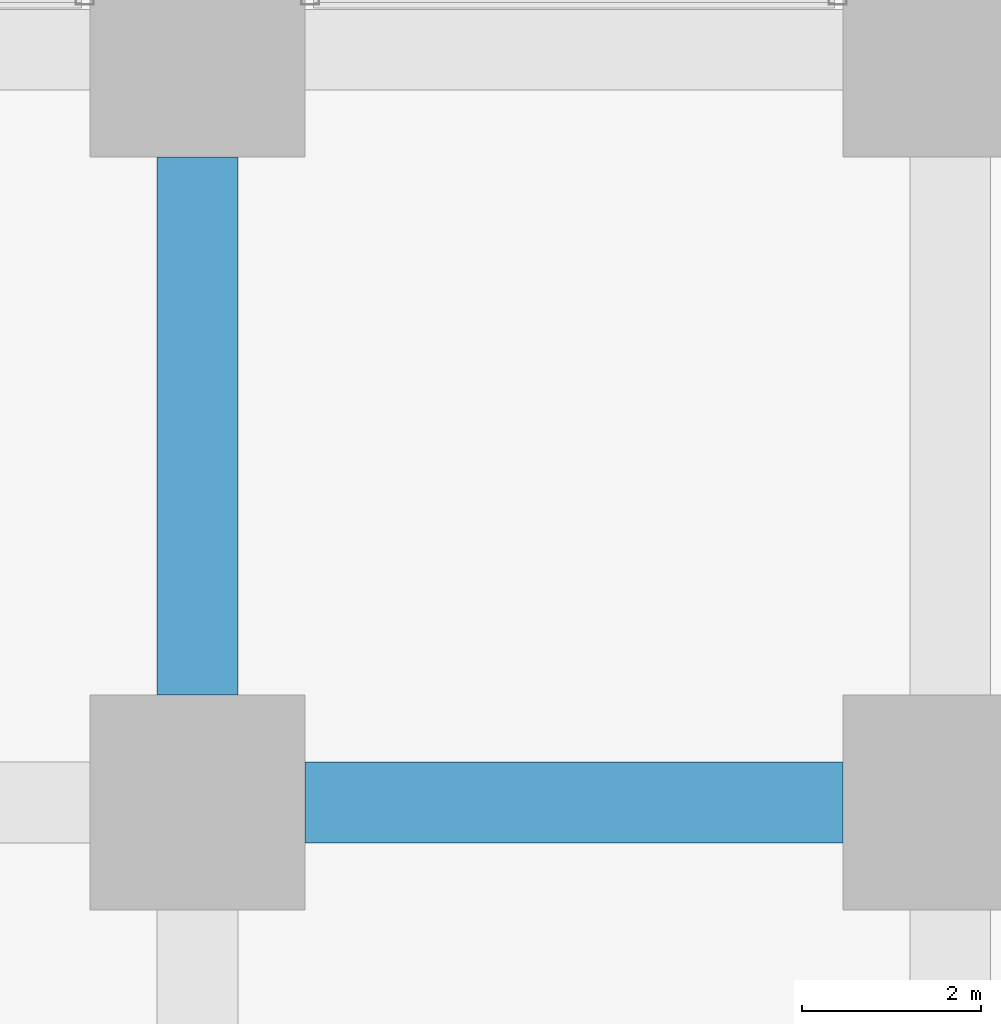
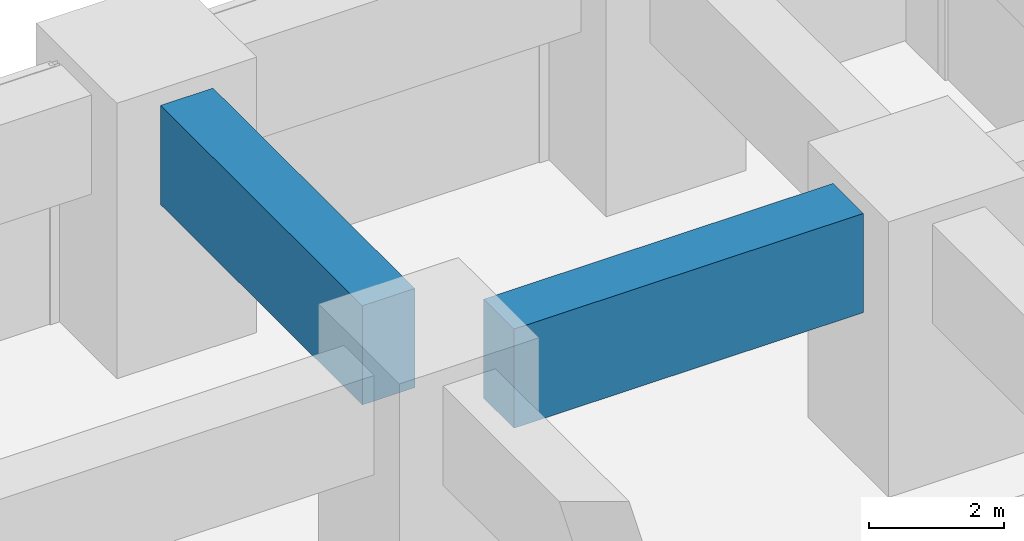
# One storey, part 22 of 49: 2 beams.
"""IFC4 building model written with IfcOpenShell, lengths in metres."""

from ifc_helpers import new_model, si_unit, direction, frame, origin, origin_2d, place, context, subcontext, project, spatial, rectangle, extrude, material, material_profile, profile_set, type_object, element, save


model = new_model("IFC4")

# Units and contexts
model_context = context("Model", 3, precision=1e-05, world=origin(), true_north=direction((0.0, 1.0)))
body_context = subcontext(model_context, "Body", "Model", "MODEL_VIEW")
ifc_project = project(units=[si_unit("LENGTHUNIT", "METRE"), si_unit("AREAUNIT", "SQUARE_METRE"), si_unit("VOLUMEUNIT", "CUBIC_METRE"), si_unit("PLANEANGLEUNIT", "RADIAN"), si_unit("MASSUNIT", "GRAM", prefix="KILO")], contexts=[model_context])

# Site, building, storey
site_placement = place(None, origin())
site = spatial("IfcSite", under=ifc_project, at=site_placement, CompositionType="ELEMENT")
building_placement = place(site_placement, origin())
building = spatial("IfcBuilding", under=site, at=building_placement, Name="Rekha Terrace Tower", CompositionType="ELEMENT")
storey_placement = place(building_placement, frame((0.0, 0.0, 5.39990234375)))
storey = spatial("IfcBuildingStorey", under=building, at=storey_placement, Name="L01", CompositionType="ELEMENT", Elevation=5.39990234375)

# Beams
ifc_material = material(Name="Concrete M60", Category="concrete")
ifc_material_profile = material_profile(ifc_material, rectangle(XDim=0.89990234375, YDim=1.800048828125, at=origin_2d()), Name="RC 900x1800")
ifc_profile_set = profile_set([ifc_material_profile], Name="Concrete M60")
beam_type = type_object("IfcBeamType", Name="G1 900x1800 podium floor beam", PredefinedType="BEAM", material=ifc_profile_set)
for number, where, z_axis, x_axis, name in (
    (1, (9.60009765625, 50.39990234375, 3.800048828125), (1.0, 0.0, 0.0), (0.0, 1.0, 0.0), "Beam G1 2G-3G under L02"),
    (2, (8.39990234375, 51.60009765625, 3.800048828125), (0.0, 1.0, 0.0), (-1.0, 0.0, 0.0), "Beam G1 2G-2H under L02"),
):
    element("IfcBeam", number, at=place(storey_placement, frame(where, z_axis=z_axis, x_axis=x_axis)), inside=storey, type_object=beam_type, Name=name, PredefinedType="BEAM", context=body_context, shape_type="SweptSolid", body=[
        extrude(rectangle(XDim=0.89990234375, YDim=1.800048828125, at=origin_2d()), origin(), (0.0, 0.0, 1.0), 6.0),
    ])

save(model, "model.ifc")
